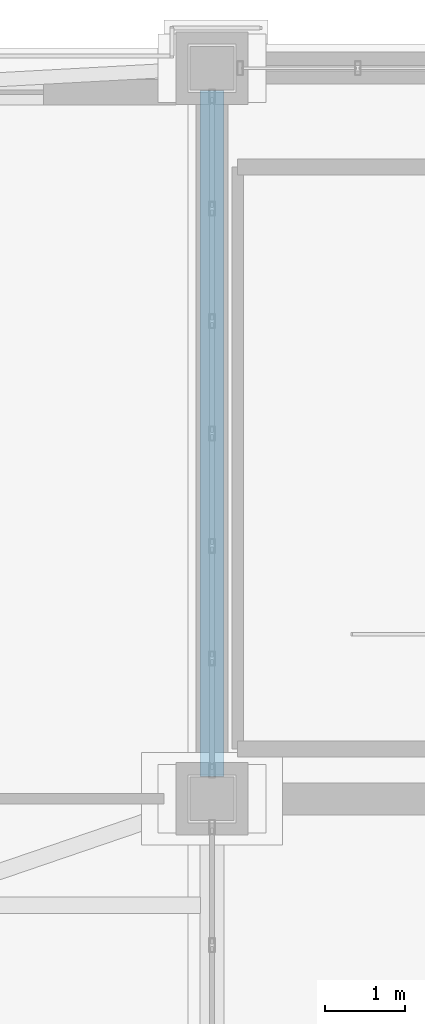
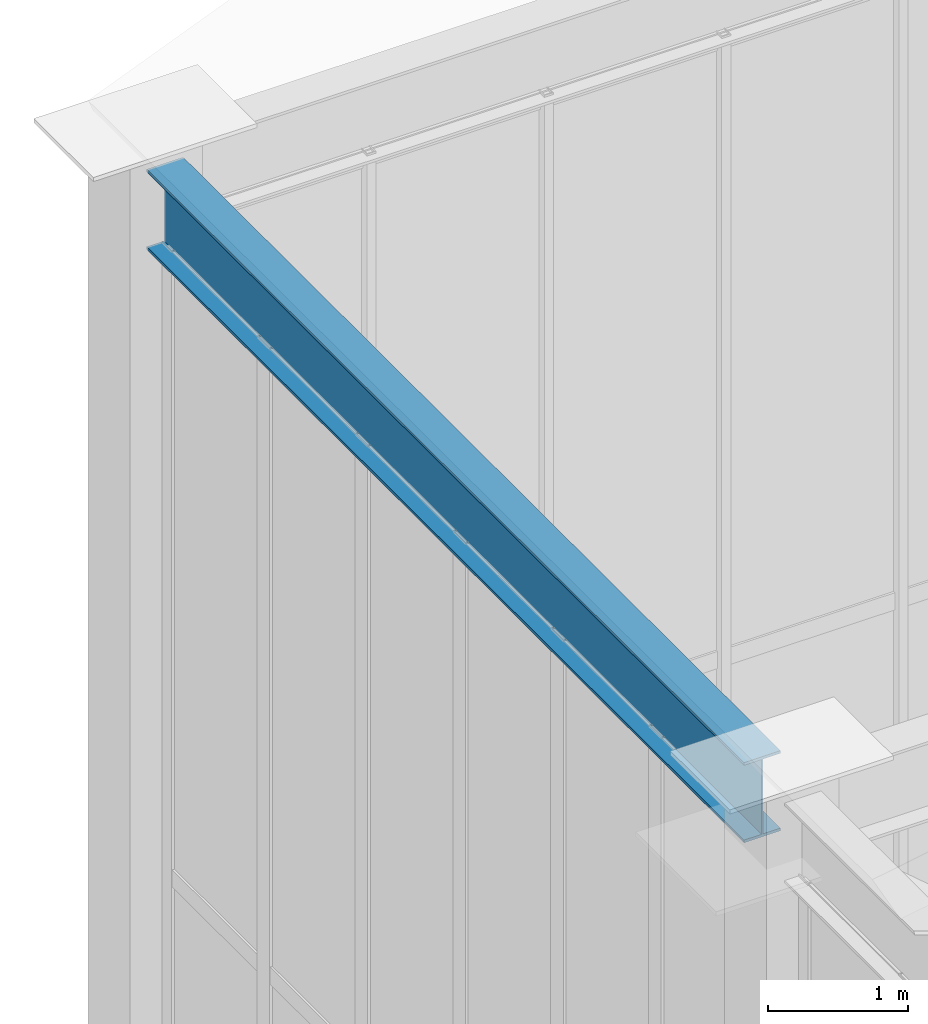
# One storey, part 20 of 135: 1 beam.
"""IFC4 building model written with IfcOpenShell, lengths in metres."""

from ifc_helpers import new_model, si_unit, direction, frame, origin, origin_2d, place, context, subcontext, project, spatial, i_section, extrude, source, transform, mapped, material, material_profile, profile_set, type_object, element, save


model = new_model("IFC4")

# Units and contexts
model_context = context("Model", 3, precision=1e-05, world=origin(), true_north=direction((0.0, 1.0)))
body_context = subcontext(model_context, "Body", "Model", "MODEL_VIEW")
ifc_project = project(units=[si_unit("LENGTHUNIT", "METRE"), si_unit("AREAUNIT", "SQUARE_METRE"), si_unit("VOLUMEUNIT", "CUBIC_METRE"), si_unit("PLANEANGLEUNIT", "RADIAN"), si_unit("MASSUNIT", "GRAM", prefix="KILO")], contexts=[model_context])

# Site, building, storey
site_placement = place(None, origin())
site = spatial("IfcSite", under=ifc_project, at=site_placement, CompositionType="ELEMENT")
building_placement = place(site_placement, origin())
building = spatial("IfcBuilding", under=site, at=building_placement, Name="Giltprow Tower", CompositionType="ELEMENT")
storey_placement = place(building_placement, frame((0.0, 0.0, 352.699951171875)))
storey = spatial("IfcBuildingStorey", under=building, at=storey_placement, Name="L92", CompositionType="ELEMENT", Elevation=352.699951171875)

# Beam
ifc_material = material(Name="Structural steel Q355B", Category="steel")
ifc_material_profile = material_profile(ifc_material, i_section(OverallWidth=0.300048828125, OverallDepth=0.699951171875, WebThickness=0.012939453125, FlangeThickness=0.02392578125, at=origin_2d()), Name="HN 700x300x13x24")
ifc_profile_set = profile_set([ifc_material_profile], Name="Structural steel Q355B")
beam_type = type_object("IfcBeamType", Name="BM-CRN-RING-HN700", PredefinedType="BEAM", material=ifc_profile_set)
shared_shape = source(origin(), body_context, "Body", "SweptSolid", [
    extrude(i_section(OverallWidth=0.300048828125, OverallDepth=0.699951171875, WebThickness=0.012939453125, FlangeThickness=0.02392578125, at=origin_2d()), origin(), (0.0, 0.0, 1.0), 8.5400390625),
])
beam_placement = place(storey_placement, frame((19.85009765625, 46.27001953125, 27.01708984375), z_axis=(0.0, -1.0, 0.0), x_axis=(1.0, 0.0, 0.0)))
element("IfcBeam", 1, at=beam_placement, inside=storey, type_object=beam_type, Name="Crown Frame West Ring Beam 2-5", PredefinedType="BEAM", context=body_context, shape_type="MappedRepresentation", body=[
    mapped(shared_shape, transform((0.0, 0.0, 0.0), x_axis=(1.0, 0.0, 0.0), y_axis=(0.0, 1.0, 0.0), z_axis=(0.0, 0.0, 1.0), scale=1.0)),
])

save(model, "model.ifc")
